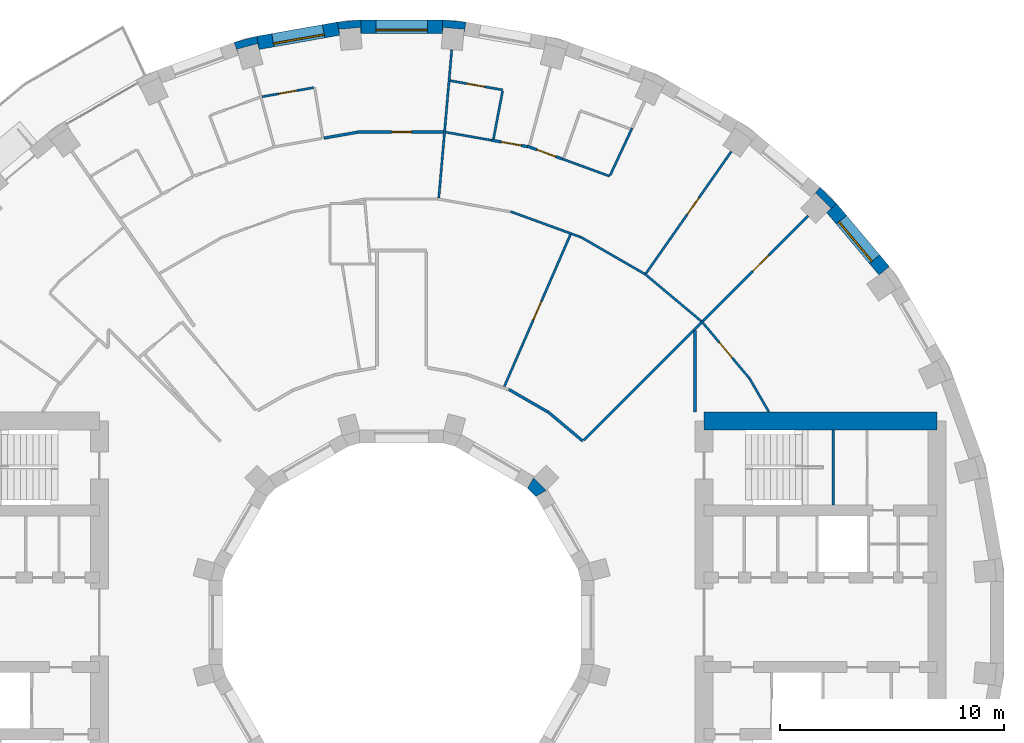
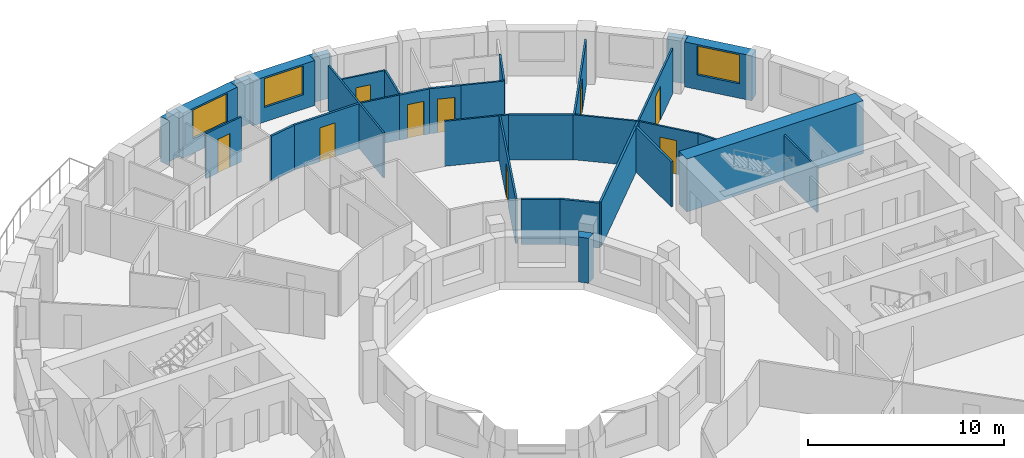
# One storey, part 12 of 15: 33 walls, 9 doors, 3 windows, 12 openings.
"""IFC4 building model written with IfcOpenShell, lengths in metres."""

from ifc_helpers import new_model, si_unit, direction, frame, frame_2d, origin, place, context, subcontext, project, spatial, polyline, rectangle, outline, extrude, material, layer, layer_set, type_object, element, fill, save


model = new_model("IFC4")

# Units and contexts
model_context = context("Model", 3, precision=1e-05, world=origin(), true_north=direction((0.0, 1.0)))
body_context = subcontext(model_context, "Body", "Model", "MODEL_VIEW")
ifc_project = project(units=[si_unit("LENGTHUNIT", "METRE"), si_unit("AREAUNIT", "SQUARE_METRE"), si_unit("VOLUMEUNIT", "CUBIC_METRE"), si_unit("PLANEANGLEUNIT", "RADIAN"), si_unit("MASSUNIT", "GRAM", prefix="KILO")], contexts=[model_context])

# Site, building, storey
site_placement = place(None, origin())
site = spatial("IfcSite", under=ifc_project, at=site_placement, CompositionType="ELEMENT")
building_placement = place(site_placement, origin())
building = spatial("IfcBuilding", under=site, at=building_placement, Name="Saqina Gate Tower", CompositionType="ELEMENT")
storey_placement = place(building_placement, frame((0.0, 0.0, 108.39990234375)))
storey = spatial("IfcBuildingStorey", under=building, at=storey_placement, Name="L30", CompositionType="ELEMENT", Elevation=108.39990234375)

# Walls
ifc_material_1 = material(Name="Brick masonry (buff)", Category="masonry")
wall_type_1 = type_object("IfcWallType", Name="BRICK PIER COPING BUFF", PredefinedType="SOLIDWALL", material=ifc_material_1)
wall_1_placement = place(storey_placement, origin())
element("IfcWall", 1, at=wall_1_placement, inside=storey, type_object=wall_type_1, Name="Pier cap L30 column 5", PredefinedType="SOLIDWALL", context=body_context, shape_type="SweptSolid", body=[
    extrude(outline(polyline([(19.43212890625, 18.686279296875), (18.686279296875, 19.43212890625), (18.30078125, 18.972412109375), (18.49072265625, 19.16259765625), (19.16259765625, 18.49072265625), (18.972412109375, 18.30078125), (19.43212890625, 18.686279296875)])), origin(), (0.0, 0.0, 1.0), 2.800048828125),
])
wall_2_placement = place(storey_placement, origin())
element("IfcWall", 2, at=wall_2_placement, inside=storey, type_object=wall_type_1, Name="Pier cap L30 column 9", PredefinedType="SOLIDWALL", context=body_context, shape_type="SweptSolid", body=[
    extrude(outline(polyline([(2.87451171875, 26.805419921875), (1.823974609375, 26.897216796875), (1.823974609375, 26.29736328125), (1.847412109375, 26.565185546875), (2.793701171875, 26.482421875), (2.770263671875, 26.214599609375), (2.87451171875, 26.805419921875)])), origin(), (0.0, 0.0, 1.0), 2.800048828125),
])
wall_3_placement = place(storey_placement, origin())
element("IfcWall", 3, at=wall_3_placement, inside=storey, type_object=wall_type_1, Name="Pier cap L30 column 10", PredefinedType="SOLIDWALL", context=body_context, shape_type="SweptSolid", body=[
    extrude(outline(polyline([(-2.87451171875, 26.805419921875), (-2.770263671875, 26.214599609375), (-2.793701171875, 26.482421875), (-1.847412109375, 26.565185546875), (-1.823974609375, 26.29736328125), (-1.823974609375, 26.897216796875), (-2.87451171875, 26.805419921875)])), origin(), (0.0, 0.0, 1.0), 2.800048828125),
])
wall_4_placement = place(storey_placement, origin())
element("IfcWall", 4, at=wall_4_placement, inside=storey, type_object=wall_type_1, Name="Pier cap L30 column 11", PredefinedType="SOLIDWALL", context=body_context, shape_type="SweptSolid", body=[
    extrude(outline(polyline([(-6.466796875, 26.171875), (-7.485595703125, 25.89892578125), (-7.2802734375, 25.335205078125), (-7.349853515625, 25.5947265625), (-6.43212890625, 25.8408203125), (-6.36279296875, 25.5810546875), (-6.466796875, 26.171875)])), origin(), (0.0, 0.0, 1.0), 2.800048828125),
])

# Wall, opening, window
ifc_material_2 = material(Name="Brick masonry (buff)", Category="masonry")
ifc_layer_1 = layer(ifc_material_2, 0.60009765625)
ifc_layer_set_1 = layer_set([ifc_layer_1], Name="FW-BRICK-BUFF")
wall_type_2 = type_object("IfcWallType", Name="FW-BRICK-BUFF", PredefinedType="SOLIDWALL", material=ifc_layer_set_1)
wall_5_placement = place(storey_placement, frame((21.547119140625, 15.69921875, 0.0), z_axis=(0.0, 0.0, 1.0), x_axis=(-0.642774476932, 0.766055462616, 0.0)))
wall_5 = element("IfcWall", 5, at=wall_5_placement, inside=storey, type_object=wall_type_2, Name="Facade wall L30 facet 4", PredefinedType="SOLIDWALL", context=body_context, shape_type="SweptSolid", body=[
    extrude(rectangle(XDim=3.647705078125, YDim=0.60009765625, at=frame_2d((1.82373046875, 0.0))), origin(), (0.0, 0.0, 1.0), 2.800048828125),
])
opening_1_placement = place(wall_5_placement, frame((0.673828125, 0.0, 0.89990234375)))
opening_1 = element("IfcOpeningElement", 6, at=opening_1_placement, cuts=wall_5, Name="Opening G08-W02", PredefinedType="OPENING", context=body_context, shape_type="SweptSolid", body=[
    extrude(rectangle(XDim=2.300048828125, YDim=1.800048828125, at=frame_2d((1.14990234375, 0.89990234375))), frame((0.0, 0.31201171875, 0.0), z_axis=(0.0, -1.0, 0.0), x_axis=(1.0, 0.0, 0.0)), (0.0, 0.0, 1.0), 0.6240234375),
])
ifc_material_3 = material(Name="Aluminium glazing", Category="aluminium")
window_type = type_object("IfcWindowType", Name="WN-B", PartitioningType="SINGLE_PANEL", PredefinedType="WINDOW", material=ifc_material_3)
window_1_placement = place(opening_1_placement, origin())
window_1 = element("IfcWindow", 7, at=window_1_placement, inside=storey, type_object=window_type, Name="Window L30 facet 4", OverallHeight=1.800048828125, OverallWidth=2.300048828125, PartitioningType="SINGLE_PANEL", PredefinedType="WINDOW", context=body_context, shape_type="SweptSolid", body=[
    extrude(rectangle(XDim=2.300048828125, YDim=1.800048828125, at=frame_2d((1.14990234375, 0.89990234375))), frame((0.0, 0.179931640625, 0.0), z_axis=(0.0, -1.0, 0.0), x_axis=(1.0, 0.0, 0.0)), (0.0, 0.0, 1.0), 0.06005859375),
])
fill(opening_1, window_1)

wall_6_placement = place(storey_placement, frame((1.823974609375, 26.59716796875, 0.0), z_axis=(0.0, 0.0, 1.0), x_axis=(-1.0, 0.0, 0.0)))
wall_6 = element("IfcWall", 8, at=wall_6_placement, inside=storey, type_object=wall_type_2, Name="Facade wall L30 facet 9", PredefinedType="SOLIDWALL", context=body_context, shape_type="SweptSolid", body=[
    extrude(rectangle(XDim=3.64794921875, YDim=0.60009765625, at=frame_2d((1.823974609375, 0.0))), origin(), (0.0, 0.0, 1.0), 2.800048828125),
])
opening_2_placement = place(wall_6_placement, frame((0.673828125, 0.0, 0.89990234375)))
opening_2 = element("IfcOpeningElement", 9, at=opening_2_placement, cuts=wall_6, Name="Opening G08-W07", PredefinedType="OPENING", context=body_context, shape_type="SweptSolid", body=[
    extrude(rectangle(XDim=2.300048828125, YDim=1.800048828125, at=frame_2d((1.14990234375, 0.89990234375))), frame((0.0, 0.31201171875, 0.0), z_axis=(0.0, -1.0, 0.0), x_axis=(1.0, 0.0, 0.0)), (0.0, 0.0, 1.0), 0.6240234375),
])
window_2_placement = place(opening_2_placement, origin())
window_2 = element("IfcWindow", 10, at=window_2_placement, inside=storey, type_object=window_type, Name="Window L30 facet 9", OverallHeight=1.800048828125, OverallWidth=2.300048828125, PartitioningType="SINGLE_PANEL", PredefinedType="WINDOW", context=body_context, shape_type="SweptSolid", body=[
    extrude(rectangle(XDim=2.300048828125, YDim=1.800048828125, at=frame_2d((1.14990234375, 0.89990234375))), frame((0.0, 0.179931640625, 0.0), z_axis=(0.0, -1.0, 0.0), x_axis=(1.0, 0.0, 0.0)), (0.0, 0.0, 1.0), 0.06005859375),
])
fill(opening_2, window_2)

wall_7_placement = place(storey_placement, frame((-2.822265625, 26.510009765625, 0.0), z_axis=(0.0, 0.0, 1.0), x_axis=(-0.984803764455, -0.173670796382, 0.0)))
wall_7 = element("IfcWall", 11, at=wall_7_placement, inside=storey, type_object=wall_type_2, Name="Facade wall L30 facet 10", PredefinedType="SOLIDWALL", context=body_context, shape_type="SweptSolid", body=[
    extrude(rectangle(XDim=3.64794921875, YDim=0.60009765625, at=frame_2d((1.823974609375, 0.0))), origin(), (0.0, 0.0, 1.0), 2.800048828125),
])
opening_3_placement = place(wall_7_placement, frame((0.673828125, 0.0, 0.89990234375)))
opening_3 = element("IfcOpeningElement", 12, at=opening_3_placement, cuts=wall_7, Name="Opening G08-W08", PredefinedType="OPENING", context=body_context, shape_type="SweptSolid", body=[
    extrude(rectangle(XDim=2.300048828125, YDim=1.800048828125, at=frame_2d((1.14990234375, 0.89990234375))), frame((0.0, 0.31201171875, 0.0), z_axis=(0.0, -1.0, 0.0), x_axis=(1.0, 0.0, 0.0)), (0.0, 0.0, 1.0), 0.6240234375),
])
window_3_placement = place(opening_3_placement, origin())
window_3 = element("IfcWindow", 13, at=window_3_placement, inside=storey, type_object=window_type, Name="Window L30 facet 10", OverallHeight=1.800048828125, OverallWidth=2.300048828125, PartitioningType="SINGLE_PANEL", PredefinedType="WINDOW", context=body_context, shape_type="SweptSolid", body=[
    extrude(rectangle(XDim=2.300048828125, YDim=1.800048828125, at=frame_2d((1.14990234375, 0.89990234375))), frame((0.0, 0.179931640625, 0.0), z_axis=(0.0, -1.0, 0.0), x_axis=(1.0, 0.0, 0.0)), (0.0, 0.0, 1.0), 0.06005859375),
])
fill(opening_3, window_3)

# Wall
ifc_material_4 = material(Name="Gypsum board on steel studs, 100 mm", Category="steel")
ifc_layer_2 = layer(ifc_material_4, 0.10009765625)
ifc_layer_set_2 = layer_set([ifc_layer_2], Name="PARTITION 100")
wall_type_3 = type_object("IfcWallType", Name="PARTITION 100", PredefinedType="PARTITIONING", material=ifc_layer_set_2)
wall_8_placement = place(storey_placement, frame((15.5146484375, 10.925048828125, 0.0), z_axis=(0.0, 0.0, 1.0), x_axis=(0.500277597875, -0.865865073245, 0.0)))
element("IfcWall", 14, at=wall_8_placement, inside=storey, type_object=wall_type_3, Name="PARTITION PW3-16", PredefinedType="PARTITIONING", context=body_context, shape_type="SweptSolid", body=[
    extrude(rectangle(XDim=1.763671875, YDim=0.10009765625, at=frame_2d((0.8818359375, 0.0))), origin(), (0.0, 0.0, 1.0), 2.800048828125),
])

# Wall, opening, door
wall_9_placement = place(storey_placement, frame((13.38232421875, 13.453857421875, 0.0), z_axis=(0.0, 0.0, 1.0), x_axis=(0.642584306873, -0.766214988473, 0.0)))
wall_9 = element("IfcWall", 15, at=wall_9_placement, inside=storey, type_object=wall_type_3, Name="PARTITION PW3-20", PredefinedType="PARTITIONING", context=body_context, shape_type="SweptSolid", body=[
    extrude(rectangle(XDim=3.3076171875, YDim=0.10009765625, at=frame_2d((1.65380859375, 0.0))), origin(), (0.0, 0.0, 1.0), 2.800048828125),
])
opening_4_placement = place(wall_9_placement, frame((1.25439453125, 0.0, 0.0)))
opening_4 = element("IfcOpeningElement", 16, at=opening_4_placement, cuts=wall_9, Name="Opening G08-D01", PredefinedType="OPENING", context=body_context, shape_type="SweptSolid", body=[
    extrude(rectangle(XDim=0.89990234375, YDim=2.10009765625, at=frame_2d((0.449951171875, 1.050048828125))), frame((0.0, 0.06201171875, 0.0), z_axis=(0.0, -1.0, 0.0), x_axis=(1.0, 0.0, 0.0)), (0.0, 0.0, 1.0), 0.1240234375),
])
ifc_material_5 = material(Name="Timber door leaf, 900 mm", Category="wood")
door_type_1 = type_object("IfcDoorType", Name="DOOR 900 TIMBER", OperationType="SINGLE_SWING_LEFT", PredefinedType="DOOR", material=ifc_material_5)
door_1_placement = place(opening_4_placement, origin())
door_1 = element("IfcDoor", 17, at=door_1_placement, inside=storey, type_object=door_type_1, Name="DOOR G08-D01", OperationType="SINGLE_SWING_RIGHT", OverallHeight=2.10009765625, OverallWidth=0.89990234375, PredefinedType="DOOR", context=body_context, shape_type="SweptSolid", body=[
    extrude(rectangle(XDim=0.89990234375, YDim=2.10009765625, at=frame_2d((0.449951171875, 1.050048828125))), frame((0.0, 0.02490234375, 0.0), z_axis=(0.0, -1.0, 0.0), x_axis=(1.0, 0.0, 0.0)), (0.0, 0.0, 1.0), 0.050048828125),
])
fill(opening_4, door_1)

# Walls
wall_10_placement = place(storey_placement, frame((10.842041015625, 15.572509765625, 0.0), z_axis=(0.0, 0.0, 1.0), x_axis=(0.76624546285, -0.642547967595, 0.0)))
element("IfcWall", 18, at=wall_10_placement, inside=storey, type_object=wall_type_3, Name="PARTITION PW3-26", PredefinedType="PARTITIONING", context=body_context, shape_type="SweptSolid", body=[
    extrude(rectangle(XDim=3.307861328125, YDim=0.10009765625, at=frame_2d((1.65380859375, 0.0))), origin(), (0.0, 0.0, 1.0), 2.800048828125),
])
wall_11_placement = place(storey_placement, frame((7.97412109375, 17.219482421875, 0.0), z_axis=(0.0, 0.0, 1.0), x_axis=(0.865857256379, -0.500291126821, 0.0)))
element("IfcWall", 19, at=wall_11_placement, inside=storey, type_object=wall_type_3, Name="PARTITION PW3-31", PredefinedType="PARTITIONING", context=body_context, shape_type="SweptSolid", body=[
    extrude(rectangle(XDim=3.30712890625, YDim=0.10009765625, at=frame_2d((1.653564453125, 0.0))), origin(), (0.0, 0.0, 1.0), 2.800048828125),
])
wall_12_placement = place(storey_placement, frame((7.171630859375, 20.69482421875, 0.0), z_axis=(0.0, 0.0, 1.0), x_axis=(0.939171474452, -0.343448601069, 0.0)))
element("IfcWall", 20, at=wall_12_placement, inside=storey, type_object=wall_type_3, Name="PARTITION PW3-32", PredefinedType="PARTITIONING", context=body_context, shape_type="SweptSolid", body=[
    extrude(rectangle(XDim=2.251953125, YDim=0.10009765625, at=frame_2d((1.1259765625, 0.0))), origin(), (0.0, 0.0, 1.0), 2.800048828125),
])
wall_13_placement = place(storey_placement, frame((4.862548828125, 18.34375, 0.0), z_axis=(0.0, 0.0, 1.0), x_axis=(0.939551875713, -0.342406589955, 0.0)))
element("IfcWall", 21, at=wall_13_placement, inside=storey, type_object=wall_type_3, Name="PARTITION PW3-35", PredefinedType="PARTITIONING", context=body_context, shape_type="SweptSolid", body=[
    extrude(rectangle(XDim=3.308349609375, YDim=0.10009765625, at=frame_2d((1.654296875, 0.0))), origin(), (0.0, 0.0, 1.0), 2.800048828125),
])
wall_14_placement = place(storey_placement, frame((1.96533203125, 21.888427734375, 0.0), z_axis=(0.0, 0.0, 1.0), x_axis=(0.984784733711, -0.173778676048, 0.0)))
element("IfcWall", 22, at=wall_14_placement, inside=storey, type_object=wall_type_3, Name="PARTITION PW3-40", PredefinedType="PARTITIONING", context=body_context, shape_type="SweptSolid", body=[
    extrude(rectangle(XDim=2.091796875, YDim=0.10009765625, at=frame_2d((1.0458984375, 0.0))), origin(), (0.0, 0.0, 1.0), 2.800048828125),
])

# Wall, opening, door
wall_15_placement = place(storey_placement, frame((2.166259765625, 24.188232421875, 0.0), z_axis=(0.0, 0.0, 1.0), x_axis=(0.984810328334, -0.173633571655, 0.0)))
wall_15 = element("IfcWall", 23, at=wall_15_placement, inside=storey, type_object=wall_type_3, Name="PARTITION PW3-41", PredefinedType="PARTITIONING", context=body_context, shape_type="SweptSolid", body=[
    extrude(rectangle(XDim=2.385986328125, YDim=0.10009765625, at=frame_2d((1.19287109375, 0.0))), origin(), (0.0, 0.0, 1.0), 2.800048828125),
])
opening_5_placement = place(wall_15_placement, frame((0.76806640625, 0.0, 0.0)))
opening_5 = element("IfcOpeningElement", 24, at=opening_5_placement, cuts=wall_15, Name="Opening G08-D08", PredefinedType="OPENING", context=body_context, shape_type="SweptSolid", body=[
    extrude(rectangle(XDim=0.800048828125, YDim=2.10009765625, at=frame_2d((0.39990234375, 1.050048828125))), frame((0.0, 0.06201171875, 0.0), z_axis=(0.0, -1.0, 0.0), x_axis=(1.0, 0.0, 0.0)), (0.0, 0.0, 1.0), 0.1240234375),
])
ifc_material_6 = material(Name="Timber door leaf, 800 mm", Category="wood")
door_type_2 = type_object("IfcDoorType", Name="DOOR 800 TIMBER", OperationType="SINGLE_SWING_LEFT", PredefinedType="DOOR", material=ifc_material_6)
door_2_placement = place(opening_5_placement, origin())
door_2 = element("IfcDoor", 25, at=door_2_placement, inside=storey, type_object=door_type_2, Name="DOOR G08-D08", OperationType="SINGLE_SWING_LEFT", OverallHeight=2.10009765625, OverallWidth=0.800048828125, PredefinedType="DOOR", context=body_context, shape_type="SweptSolid", body=[
    extrude(rectangle(XDim=0.800048828125, YDim=2.10009765625, at=frame_2d((0.39990234375, 1.050048828125))), frame((0.0, 0.02490234375, 0.0), z_axis=(0.0, -1.0, 0.0), x_axis=(1.0, 0.0, 0.0)), (0.0, 0.0, 1.0), 0.050048828125),
])
fill(opening_5, door_2)

wall_16_placement = place(storey_placement, frame((-6.23779296875, 23.470703125, 0.0), z_axis=(0.0, 0.0, 1.0), x_axis=(0.984817208654, 0.173594543518, 0.0)))
wall_16 = element("IfcWall", 26, at=wall_16_placement, inside=storey, type_object=wall_type_3, Name="PARTITION PW3-53", PredefinedType="PARTITIONING", context=body_context, shape_type="SweptSolid", body=[
    extrude(rectangle(XDim=2.3359375, YDim=0.10009765625, at=frame_2d((1.16796875, 0.0))), origin(), (0.0, 0.0, 1.0), 2.800048828125),
])
opening_6_placement = place(wall_16_placement, frame((0.767578125, 0.0, 0.0)))
opening_6 = element("IfcOpeningElement", 27, at=opening_6_placement, cuts=wall_16, Name="Opening G08-D12", PredefinedType="OPENING", context=body_context, shape_type="SweptSolid", body=[
    extrude(rectangle(XDim=0.800048828125, YDim=2.10009765625, at=frame_2d((0.39990234375, 1.050048828125))), frame((0.0, 0.06201171875, 0.0), z_axis=(0.0, -1.0, 0.0), x_axis=(1.0, 0.0, 0.0)), (0.0, 0.0, 1.0), 0.1240234375),
])
door_3_placement = place(opening_6_placement, origin())
door_3 = element("IfcDoor", 28, at=door_3_placement, inside=storey, type_object=door_type_2, Name="DOOR G08-D12", OperationType="SINGLE_SWING_LEFT", OverallHeight=2.10009765625, OverallWidth=0.800048828125, PredefinedType="DOOR", context=body_context, shape_type="SweptSolid", body=[
    extrude(rectangle(XDim=0.800048828125, YDim=2.10009765625, at=frame_2d((0.39990234375, 1.050048828125))), frame((0.0, 0.02490234375, 0.0), z_axis=(0.0, -1.0, 0.0), x_axis=(1.0, 0.0, 0.0)), (0.0, 0.0, 1.0), 0.050048828125),
])
fill(opening_6, door_3)

wall_17_placement = place(storey_placement, frame((13.450439453125, 13.450439453125, 0.0), z_axis=(0.0, 0.0, 1.0), x_axis=(0.707106781187, 0.707106781187, 0.0)))
wall_17 = element("IfcWall", 29, at=wall_17_placement, inside=storey, type_object=wall_type_3, Name="PARTITION PW3-72", PredefinedType="PARTITIONING", context=body_context, shape_type="SweptSolid", body=[
    extrude(rectangle(XDim=6.643310546875, YDim=0.10009765625, at=frame_2d((3.32177734375, 0.0))), origin(), (0.0, 0.0, 1.0), 2.800048828125),
])
opening_7_placement = place(wall_17_placement, frame((3.163818359375, 0.0, 0.0)))
opening_7 = element("IfcOpeningElement", 30, at=opening_7_placement, cuts=wall_17, Name="Opening G08-D02", PredefinedType="OPENING", context=body_context, shape_type="SweptSolid", body=[
    extrude(rectangle(XDim=1.0, YDim=2.10009765625, at=frame_2d((0.5, 1.050048828125))), frame((0.0, 0.06201171875, 0.0), z_axis=(0.0, -1.0, 0.0), x_axis=(1.0, 0.0, 0.0)), (0.0, 0.0, 1.0), 0.1240234375),
])
ifc_material_7 = material(Name="Timber door leaf, 1000 mm", Category="wood")
door_type_3 = type_object("IfcDoorType", Name="DOOR 1000 TIMBER", OperationType="SINGLE_SWING_LEFT", PredefinedType="DOOR", material=ifc_material_7)
door_4_placement = place(opening_7_placement, frame((1.0, 0.0, 0.0), z_axis=(0.0, 0.0, 1.0), x_axis=(-1.0, 0.0, 0.0)))
door_4 = element("IfcDoor", 31, at=door_4_placement, inside=storey, type_object=door_type_3, Name="DOOR G08-D02", OperationType="SINGLE_SWING_LEFT", OverallHeight=2.10009765625, OverallWidth=1.0, PredefinedType="DOOR", context=body_context, shape_type="SweptSolid", body=[
    extrude(rectangle(XDim=1.0, YDim=2.10009765625, at=frame_2d((0.5, 1.050048828125))), frame((0.0, 0.02490234375, 0.0), z_axis=(0.0, -1.0, 0.0), x_axis=(1.0, 0.0, 0.0)), (0.0, 0.0, 1.0), 0.050048828125),
])
fill(opening_7, door_4)

wall_18_placement = place(storey_placement, frame((10.90966796875, 15.5810546875, 0.0), z_axis=(0.0, 0.0, 1.0), x_axis=(0.573558519574, 0.819164589459, 0.0)))
wall_18 = element("IfcWall", 32, at=wall_18_placement, inside=storey, type_object=wall_type_3, Name="PARTITION PW3-78", PredefinedType="PARTITIONING", context=body_context, shape_type="SweptSolid", body=[
    extrude(rectangle(XDim=6.64404296875, YDim=0.10009765625, at=frame_2d((3.322021484375, 0.0))), origin(), (0.0, 0.0, 1.0), 2.800048828125),
])
opening_8_placement = place(wall_18_placement, frame((3.214599609375, 0.0, 0.0)))
opening_8 = element("IfcOpeningElement", 33, at=opening_8_placement, cuts=wall_18, Name="Opening G08-D03", PredefinedType="OPENING", context=body_context, shape_type="SweptSolid", body=[
    extrude(rectangle(XDim=0.89990234375, YDim=2.10009765625, at=frame_2d((0.449951171875, 1.050048828125))), frame((0.0, 0.06201171875, 0.0), z_axis=(0.0, -1.0, 0.0), x_axis=(1.0, 0.0, 0.0)), (0.0, 0.0, 1.0), 0.1240234375),
])
door_5_placement = place(opening_8_placement, origin())
door_5 = element("IfcDoor", 34, at=door_5_placement, inside=storey, type_object=door_type_1, Name="DOOR G08-D03", OperationType="SINGLE_SWING_RIGHT", OverallHeight=2.10009765625, OverallWidth=0.89990234375, PredefinedType="DOOR", context=body_context, shape_type="SweptSolid", body=[
    extrude(rectangle(XDim=0.89990234375, YDim=2.10009765625, at=frame_2d((0.449951171875, 1.050048828125))), frame((0.0, 0.02490234375, 0.0), z_axis=(0.0, -1.0, 0.0), x_axis=(1.0, 0.0, 0.0)), (0.0, 0.0, 1.0), 0.050048828125),
])
fill(opening_8, door_5)

# Wall
wall_19_placement = place(storey_placement, frame((9.31103515625, 19.96630859375, 0.0), z_axis=(0.0, 0.0, 1.0), x_axis=(0.422300754366, 0.906455775458, 0.0)))
element("IfcWall", 35, at=wall_19_placement, inside=storey, type_object=wall_type_3, Name="PARTITION PW3-84", PredefinedType="PARTITIONING", context=body_context, shape_type="SweptSolid", body=[
    extrude(rectangle(XDim=2.30908203125, YDim=0.10009765625, at=frame_2d((1.154541015625, 0.0))), origin(), (0.0, 0.0, 1.0), 2.800048828125),
])

# Wall, opening, door
wall_20_placement = place(storey_placement, frame((4.583740234375, 10.529296875, 0.0), z_axis=(0.0, 0.0, 1.0), x_axis=(0.39900110087, 0.916950446592, 0.0)))
wall_20 = element("IfcWall", 36, at=wall_20_placement, inside=storey, type_object=wall_type_3, Name="PARTITION PW3-85", PredefinedType="PARTITIONING", context=body_context, shape_type="SweptSolid", body=[
    extrude(rectangle(XDim=7.4013671875, YDim=0.10009765625, at=frame_2d((3.70068359375, 0.0))), origin(), (0.0, 0.0, 1.0), 2.800048828125),
])
opening_9_placement = place(wall_20_placement, frame((3.243408203125, 0.0, 0.0)))
opening_9 = element("IfcOpeningElement", 37, at=opening_9_placement, cuts=wall_20, Name="Opening G08-D04", PredefinedType="OPENING", context=body_context, shape_type="SweptSolid", body=[
    extrude(rectangle(XDim=0.89990234375, YDim=2.10009765625, at=frame_2d((0.449951171875, 1.050048828125))), frame((0.0, 0.06201171875, 0.0), z_axis=(0.0, -1.0, 0.0), x_axis=(1.0, 0.0, 0.0)), (0.0, 0.0, 1.0), 0.1240234375),
])
door_6_placement = place(opening_9_placement, origin())
door_6 = element("IfcDoor", 38, at=door_6_placement, inside=storey, type_object=door_type_1, Name="DOOR G08-D04", OperationType="SINGLE_SWING_LEFT", OverallHeight=2.10009765625, OverallWidth=0.89990234375, PredefinedType="DOOR", context=body_context, shape_type="SweptSolid", body=[
    extrude(rectangle(XDim=0.89990234375, YDim=2.10009765625, at=frame_2d((0.449951171875, 1.050048828125))), frame((0.0, 0.02490234375, 0.0), z_axis=(0.0, -1.0, 0.0), x_axis=(1.0, 0.0, 0.0)), (0.0, 0.0, 1.0), 0.050048828125),
])
fill(opening_9, door_6)

# Walls
wall_21_placement = place(storey_placement, frame((4.0986328125, 21.575439453125, 0.0), z_axis=(0.0, 0.0, 1.0), x_axis=(0.186471082638, 0.982460449759, 0.0)))
element("IfcWall", 39, at=wall_21_placement, inside=storey, type_object=wall_type_3, Name="PARTITION PW3-91", PredefinedType="PARTITIONING", context=body_context, shape_type="SweptSolid", body=[
    extrude(rectangle(XDim=2.187744140625, YDim=0.10009765625, at=frame_2d((1.09375, 0.0))), origin(), (0.0, 0.0, 1.0), 2.800048828125),
])
wall_22_placement = place(storey_placement, frame((1.658447265625, 18.94873046875, 0.0), z_axis=(0.0, 0.0, 1.0), x_axis=(0.087052988713, 0.996203682565, 0.0)))
element("IfcWall", 40, at=wall_22_placement, inside=storey, type_object=wall_type_3, Name="PARTITION PW3-92", PredefinedType="PARTITIONING", context=body_context, shape_type="SweptSolid", body=[
    extrude(rectangle(XDim=6.643798828125, YDim=0.10009765625, at=frame_2d((3.32177734375, 0.0))), origin(), (0.0, 0.0, 1.0), 2.800048828125),
])
ifc_material_8 = material(Name="Gypsum board on steel studs, 125 mm, fire rated", Category="steel")
ifc_layer_3 = layer(ifc_material_8, 0.125)
ifc_layer_set_3 = layer_set([ifc_layer_3], Name="PARTITION EI 30 125")
wall_type_4 = type_object("IfcWallType", Name="PARTITION EI 30 125", PredefinedType="PARTITIONING", material=ifc_layer_set_3)
wall_23_placement = place(storey_placement, frame((6.515380859375, 9.414794921875, 0.0), z_axis=(0.0, 0.0, 1.0), x_axis=(0.766097328455, -0.642724578131, 0.0)))
element("IfcWall", 41, at=wall_23_placement, inside=storey, type_object=wall_type_4, Name="PARTITION PW1-14", PredefinedType="PARTITIONING", context=body_context, shape_type="SweptSolid", body=[
    extrude(rectangle(XDim=2.05810546875, YDim=0.125, at=frame_2d((1.029052734375, 0.0))), origin(), (0.0, 0.0, 1.0), 2.800048828125),
])
wall_24_placement = place(storey_placement, frame((4.781005859375, 10.40283203125, 0.0), z_axis=(0.0, 0.0, 1.0), x_axis=(0.866173368732, -0.499743629573, 0.0)))
element("IfcWall", 42, at=wall_24_placement, inside=storey, type_object=wall_type_4, Name="PARTITION PW1-17", PredefinedType="PARTITIONING", context=body_context, shape_type="SweptSolid", body=[
    extrude(rectangle(XDim=1.99609375, YDim=0.125, at=frame_2d((0.998046875, 0.0))), origin(), (0.0, 0.0, 1.0), 2.800048828125),
])

# Wall, opening, door
wall_25_placement = place(storey_placement, frame((5.62939453125, 21.253662109375, 0.0), z_axis=(0.0, 0.0, 1.0), x_axis=(0.939793423488, -0.341743063087, 0.0)))
wall_25 = element("IfcWall", 43, at=wall_25_placement, inside=storey, type_object=wall_type_4, Name="PARTITION PW1-21", PredefinedType="PARTITIONING", context=body_context, shape_type="SweptSolid", body=[
    extrude(rectangle(XDim=1.64013671875, YDim=0.125, at=frame_2d((0.820068359375, 0.0))), origin(), (0.0, 0.0, 1.0), 2.800048828125),
])
opening_10_placement = place(wall_25_placement, frame((0.427490234375, 0.0, 0.0)))
opening_10 = element("IfcOpeningElement", 44, at=opening_10_placement, cuts=wall_25, Name="Opening G08-D06", PredefinedType="OPENING", context=body_context, shape_type="SweptSolid", body=[
    extrude(rectangle(XDim=0.89990234375, YDim=2.10009765625, at=frame_2d((0.449951171875, 1.050048828125))), frame((0.0, 0.074462890625, 0.0), z_axis=(0.0, -1.0, 0.0), x_axis=(1.0, 0.0, 0.0)), (0.0, 0.0, 1.0), 0.14892578125),
])
ifc_material_9 = material(Name="Fire door leaf EI 30, 900 mm")
door_type_4 = type_object("IfcDoorType", Name="DOOR 900 EI 30", OperationType="SINGLE_SWING_LEFT", PredefinedType="DOOR", material=ifc_material_9)
door_7_placement = place(opening_10_placement, frame((0.89990234375, 0.0, 0.0), z_axis=(0.0, 0.0, 1.0), x_axis=(-1.0, 0.0, 0.0)))
door_7 = element("IfcDoor", 45, at=door_7_placement, inside=storey, type_object=door_type_4, Name="DOOR G08-D06", OperationType="SINGLE_SWING_RIGHT", OverallHeight=2.10009765625, OverallWidth=0.89990234375, PredefinedType="DOOR", context=body_context, shape_type="SweptSolid", body=[
    extrude(rectangle(XDim=0.89990234375, YDim=2.10009765625, at=frame_2d((0.449951171875, 1.050048828125))), frame((0.0, 0.02490234375, 0.0), z_axis=(0.0, -1.0, 0.0), x_axis=(1.0, 0.0, 0.0)), (0.0, 0.0, 1.0), 0.050048828125),
])
fill(opening_10, door_7)

wall_26_placement = place(storey_placement, frame((4.02587890625, 21.527587890625, 0.0), z_axis=(0.0, 0.0, 1.0), x_axis=(0.984568254948, -0.175001003852, 0.0)))
wall_26 = element("IfcWall", 46, at=wall_26_placement, inside=storey, type_object=wall_type_4, Name="PARTITION PW1-23", PredefinedType="PARTITIONING", context=body_context, shape_type="SweptSolid", body=[
    extrude(rectangle(XDim=1.626708984375, YDim=0.125, at=frame_2d((0.8134765625, 0.0))), origin(), (0.0, 0.0, 1.0), 2.800048828125),
])
opening_11_placement = place(wall_26_placement, frame((0.42578125, 0.0, 0.0)))
opening_11 = element("IfcOpeningElement", 47, at=opening_11_placement, cuts=wall_26, Name="Opening G08-D07", PredefinedType="OPENING", context=body_context, shape_type="SweptSolid", body=[
    extrude(rectangle(XDim=0.89990234375, YDim=2.10009765625, at=frame_2d((0.449951171875, 1.050048828125))), frame((0.0, 0.074462890625, 0.0), z_axis=(0.0, -1.0, 0.0), x_axis=(1.0, 0.0, 0.0)), (0.0, 0.0, 1.0), 0.14892578125),
])
door_8_placement = place(opening_11_placement, frame((0.89990234375, 0.0, 0.0), z_axis=(0.0, 0.0, 1.0), x_axis=(-1.0, 0.0, 0.0)))
door_8 = element("IfcDoor", 48, at=door_8_placement, inside=storey, type_object=door_type_4, Name="DOOR G08-D07", OperationType="SINGLE_SWING_LEFT", OverallHeight=2.10009765625, OverallWidth=0.89990234375, PredefinedType="DOOR", context=body_context, shape_type="SweptSolid", body=[
    extrude(rectangle(XDim=0.89990234375, YDim=2.10009765625, at=frame_2d((0.449951171875, 1.050048828125))), frame((0.0, 0.02490234375, 0.0), z_axis=(0.0, -1.0, 0.0), x_axis=(1.0, 0.0, 0.0)), (0.0, 0.0, 1.0), 0.050048828125),
])
fill(opening_11, door_8)

wall_27_placement = place(storey_placement, frame((-1.9794921875, 21.89697265625, 0.0), z_axis=(0.0, 0.0, 1.0), x_axis=(1.0, 0.0, 0.0)))
wall_27 = element("IfcWall", 49, at=wall_27_placement, inside=storey, type_object=wall_type_4, Name="PARTITION PW1-29", PredefinedType="PARTITIONING", context=body_context, shape_type="SweptSolid", body=[
    extrude(rectangle(XDim=3.844482421875, YDim=0.125, at=frame_2d((1.92236328125, 0.0))), origin(), (0.0, 0.0, 1.0), 2.800048828125),
])
opening_12_placement = place(wall_27_placement, frame((1.529052734375, 0.0, 0.0)))
opening_12 = element("IfcOpeningElement", 50, at=opening_12_placement, cuts=wall_27, Name="Opening G08-D09", PredefinedType="OPENING", context=body_context, shape_type="SweptSolid", body=[
    extrude(rectangle(XDim=0.89990234375, YDim=2.10009765625, at=frame_2d((0.449951171875, 1.050048828125))), frame((0.0, 0.074462890625, 0.0), z_axis=(0.0, -1.0, 0.0), x_axis=(1.0, 0.0, 0.0)), (0.0, 0.0, 1.0), 0.14892578125),
])
door_9_placement = place(opening_12_placement, frame((0.89990234375, 0.0, 0.0), z_axis=(0.0, 0.0, 1.0), x_axis=(-1.0, 0.0, 0.0)))
door_9 = element("IfcDoor", 51, at=door_9_placement, inside=storey, type_object=door_type_4, Name="DOOR G08-D09", OperationType="SINGLE_SWING_LEFT", OverallHeight=2.10009765625, OverallWidth=0.89990234375, PredefinedType="DOOR", context=body_context, shape_type="SweptSolid", body=[
    extrude(rectangle(XDim=0.89990234375, YDim=2.10009765625, at=frame_2d((0.449951171875, 1.050048828125))), frame((0.0, 0.02490234375, 0.0), z_axis=(0.0, -1.0, 0.0), x_axis=(1.0, 0.0, 0.0)), (0.0, 0.0, 1.0), 0.050048828125),
])
fill(opening_12, door_9)

# Walls
wall_28_placement = place(storey_placement, frame((-3.46875, 21.62353515625, 0.0), z_axis=(0.0, 0.0, 1.0), x_axis=(0.984977719449, 0.172681476106, 0.0)))
element("IfcWall", 52, at=wall_28_placement, inside=storey, type_object=wall_type_4, Name="PARTITION PW1-30", PredefinedType="PARTITIONING", context=body_context, shape_type="SweptSolid", body=[
    extrude(rectangle(XDim=1.51416015625, YDim=0.125, at=frame_2d((0.757080078125, 0.0))), origin(), (0.0, 0.0, 1.0), 2.800048828125),
])
wall_29_placement = place(storey_placement, frame((8.13623046875, 8.13623046875, 0.0), z_axis=(0.0, 0.0, 1.0), x_axis=(0.707106781187, 0.707106781187, 0.0)))
element("IfcWall", 53, at=wall_29_placement, inside=storey, type_object=wall_type_4, Name="PARTITION PW1-47", PredefinedType="PARTITIONING", context=body_context, shape_type="SweptSolid", body=[
    extrude(rectangle(XDim=7.4150390625, YDim=0.125, at=frame_2d((3.70751953125, 0.0))), origin(), (0.0, 0.0, 1.0), 2.800048828125),
])
wall_30_placement = place(storey_placement, frame((13.10009765625, 9.39990234375, 0.0), z_axis=(0.0, 0.0, 1.0), x_axis=(0.0, 1.0, 0.0)))
element("IfcWall", 54, at=wall_30_placement, inside=storey, type_object=wall_type_4, Name="PARTITION PW1-56", PredefinedType="PARTITIONING", context=body_context, shape_type="SweptSolid", body=[
    extrude(rectangle(XDim=3.6376953125, YDim=0.125, at=frame_2d((1.81884765625, 0.0))), origin(), (0.0, 0.0, 1.0), 2.800048828125),
])
ifc_material_10 = material(Name="Autoclaved aerated concrete block", Category="concrete")
ifc_layer_4 = layer(ifc_material_10, 0.10009765625)
ifc_layer_set_4 = layer_set([ifc_layer_4], Name="STAIR ENCLOSURE WALL")
wall_type_5 = type_object("IfcWallType", Name="STAIR ENCLOSURE WALL", PredefinedType="PARTITIONING", material=ifc_layer_set_4)
wall_31_placement = place(storey_placement, frame((19.27001953125, 5.25, 0.0), z_axis=(0.0, 0.0, 1.0), x_axis=(0.0, 1.0, 0.0)))
element("IfcWall", 55, at=wall_31_placement, inside=storey, type_object=wall_type_5, Name="L30-CP-E13", PredefinedType="PARTITIONING", context=body_context, shape_type="SweptSolid", body=[
    extrude(rectangle(XDim=3.35009765625, YDim=0.10009765625, at=frame_2d((1.675048828125, 0.0))), origin(), (0.0, 0.0, 1.0), 2.800048828125),
])
ifc_material_11 = material(Name="Concrete C70/85", Category="concrete")
ifc_layer_5 = layer(ifc_material_11, 0.800048828125)
ifc_layer_set_5 = layer_set([ifc_layer_5], Name="Concrete C70/85")
wall_type_6 = type_object("IfcWallType", Name="STR-CORE WALL-B-O", PredefinedType="SHEAR", material=ifc_layer_set_5)
wall_32_placement = place(storey_placement, frame((13.5, 9.0, 0.0), z_axis=(0.0, 0.0, 1.0), x_axis=(1.0, 0.0, 0.0)))
element("IfcWall", 56, at=wall_32_placement, inside=storey, type_object=wall_type_6, Name="CORE WALL L30 E-NE", PredefinedType="SHEAR", context=body_context, shape_type="SweptSolid", body=[
    extrude(rectangle(XDim=10.39990234375, YDim=0.800048828125, at=frame_2d((5.199951171875, 0.0))), origin(), (0.0, 0.0, 1.0), 3.300048828125),
])
ifc_material_12 = material(Name="Glazed ceramic tile", Category="ceramic")
wall_type_7 = type_object("IfcWallType", Name="TILE PIER COPING", PredefinedType="SOLIDWALL", material=ifc_material_12)
wall_33_placement = place(storey_placement, origin())
element("IfcWall", 57, at=wall_33_placement, inside=storey, type_object=wall_type_7, Name="Well pier cap L30 column 2", PredefinedType="SOLIDWALL", context=body_context, shape_type="SweptSolid", body=[
    extrude(outline(polyline([(5.891845703125, 6.45751953125), (5.622802734375, 5.991455078125), (5.991455078125, 5.622802734375), (6.45751953125, 5.891845703125), (5.891845703125, 6.45751953125)])), origin(), (0.0, 0.0, 1.0), 2.800048828125),
])

save(model, "model.ifc")
